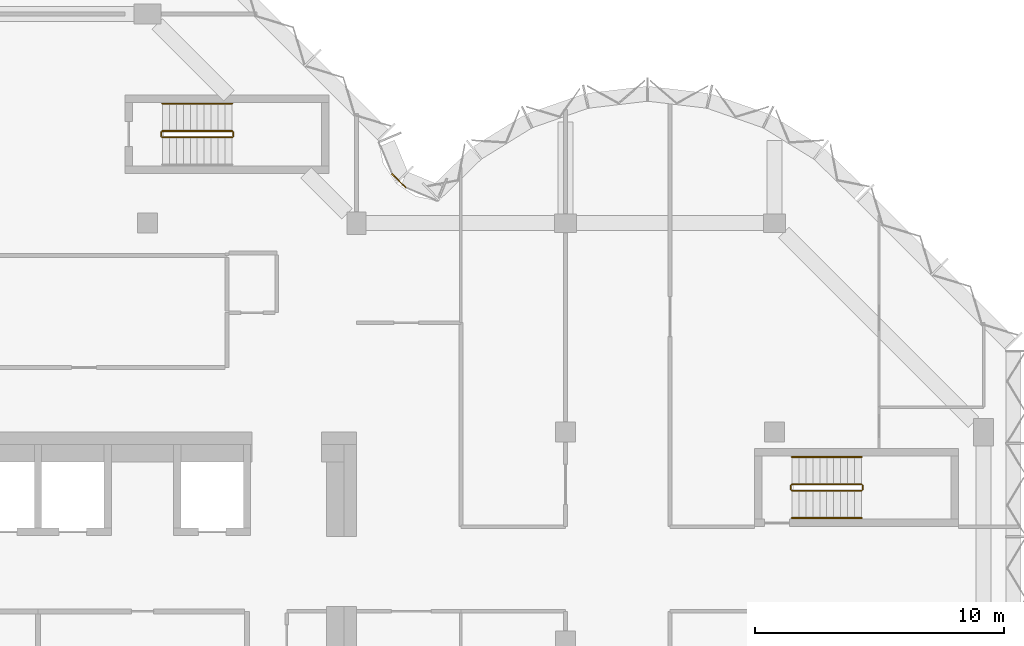
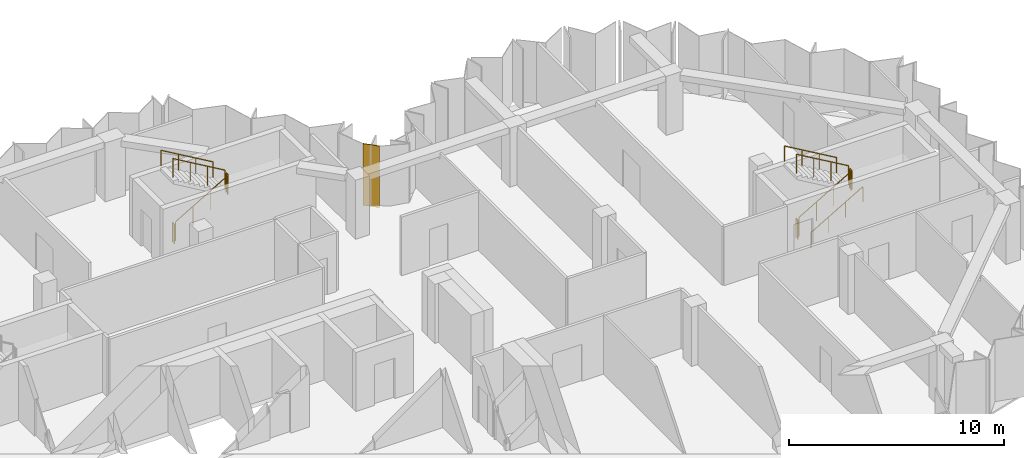
# One storey, part 9 of 9: 11 railings, 1 covering, 1 element without a shape of its own.
"""IFC4 building model written with IfcOpenShell, lengths in metres."""

from ifc_helpers import new_model, si_unit, direction, frame, origin, origin_2d, place, context, subcontext, project, spatial, polyline, circle, outline, extrude, material, layer, layer_set, type_object, element, aggregate, save


model = new_model("IFC4")

# Units and contexts
model_context = context("Model", 3, precision=1e-05, world=origin(), true_north=direction((0.0, 1.0)))
body_context = subcontext(model_context, "Body", "Model", "MODEL_VIEW")
ifc_project = project(units=[si_unit("LENGTHUNIT", "METRE"), si_unit("AREAUNIT", "SQUARE_METRE"), si_unit("VOLUMEUNIT", "CUBIC_METRE"), si_unit("PLANEANGLEUNIT", "RADIAN"), si_unit("MASSUNIT", "GRAM", prefix="KILO")], contexts=[model_context])

# Site, building, storey
site_placement = place(None, origin())
site = spatial("IfcSite", under=ifc_project, at=site_placement, CompositionType="ELEMENT")
building_placement = place(site_placement, origin())
building = spatial("IfcBuilding", under=site, at=building_placement, Name="Brevane Broadcast Tower", CompositionType="ELEMENT")
storey_placement = place(building_placement, frame((0.0, 0.0, 215.699951171875)))
storey = spatial("IfcBuildingStorey", under=building, at=storey_placement, Name="L54", CompositionType="ELEMENT", Elevation=215.699951171875)

# Railings
ifc_material_1 = material(Name="Steel S355", Category="steel")
railing_type_1 = type_object("IfcRailingType", Name="Exit stair guard", PredefinedType="GUARDRAIL", material=ifc_material_1)
railing_1_placement = place(storey_placement, frame((17.39990234375, 28.64990234375, 0.16357421875)))
element("IfcRailing", 1, at=railing_1_placement, inside=storey, type_object=railing_type_1, Name="L54 ST-3 stair guard 1", PredefinedType="GUARDRAIL", context=body_context, shape_type="SweptSolid", body=[
    extrude(circle(Radius=0.02392578125, at=origin_2d()), frame((0.0, 0.0, 1.076171875), z_axis=(0.863360870873, 0.0, 0.504586966384), x_axis=(0.0, 1.0, 0.0)), (0.0, 0.0, 1.0), 3.2431640625),
    extrude(circle(Radius=0.02099609375, at=origin_2d()), origin(), (0.0, 0.0, 1.0), 1.052001953125),
    extrude(circle(Radius=0.02099609375, at=origin_2d()), frame((0.933349609375, 0.0, 0.54541015625)), (0.0, 0.0, 1.0), 1.052001953125),
    extrude(circle(Radius=0.02099609375, at=origin_2d()), frame((1.86669921875, 0.0, 1.091064453125)), (0.0, 0.0, 1.0), 1.052001953125),
    extrude(circle(Radius=0.02099609375, at=origin_2d()), frame((2.800048828125, 0.0, 1.636474609375)), (0.0, 0.0, 1.0), 1.052001953125),
])
railing_2_placement = place(storey_placement, frame((20.25, 28.699951171875, 1.800048828125)))
element("IfcRailing", 2, at=railing_2_placement, inside=storey, type_object=railing_type_1, Name="L54 ST-3 stair guard 2", PredefinedType="GUARDRAIL", context=body_context, shape_type="SweptSolid", body=[
    extrude(circle(Radius=0.02392578125, at=origin_2d()), frame((0.0, 0.0, 1.076171875), z_axis=(0.0, 1.0, 0.0), x_axis=(-1.0, 0.0, 0.0)), (0.0, 0.0, 1.0), 0.150146484375),
    extrude(circle(Radius=0.02099609375, at=origin_2d()), origin(), (0.0, 0.0, 1.0), 1.052001953125),
    extrude(circle(Radius=0.02099609375, at=origin_2d()), frame((0.0, 0.150146484375, 0.0)), (0.0, 0.0, 1.0), 1.052001953125),
])
railing_3_placement = place(storey_placement, frame((20.199951171875, 28.89990234375, 1.963623046875)))
element("IfcRailing", 3, at=railing_3_placement, inside=storey, type_object=railing_type_1, Name="L54 ST-3 stair guard 3", PredefinedType="GUARDRAIL", context=body_context, shape_type="SweptSolid", body=[
    extrude(circle(Radius=0.02392578125, at=origin_2d()), frame((0.0, 0.0, 1.076171875), z_axis=(-0.863360870873, 0.0, 0.504586966384), x_axis=(0.0, -1.0, 0.0)), (0.0, 0.0, 1.0), 3.2431640625),
    extrude(circle(Radius=0.02099609375, at=origin_2d()), origin(), (0.0, 0.0, 1.0), 1.052001953125),
    extrude(circle(Radius=0.02099609375, at=origin_2d()), frame((-0.933349609375, 0.0, 0.54541015625)), (0.0, 0.0, 1.0), 1.052001953125),
    extrude(circle(Radius=0.02099609375, at=origin_2d()), frame((-1.86669921875, 0.0, 1.091064453125)), (0.0, 0.0, 1.0), 1.052001953125),
    extrude(circle(Radius=0.02099609375, at=origin_2d()), frame((-2.800048828125, 0.0, 1.636474609375)), (0.0, 0.0, 1.0), 1.052001953125),
])
railing_4_placement = place(storey_placement, frame((17.35009765625, 28.699951171875, 0.0)))
element("IfcRailing", 4, at=railing_4_placement, inside=storey, type_object=railing_type_1, Name="L54 ST-3 stair guard 4", PredefinedType="GUARDRAIL", context=body_context, shape_type="SweptSolid", body=[
    extrude(circle(Radius=0.02392578125, at=origin_2d()), frame((0.0, 0.0, 1.076171875), z_axis=(0.0, 1.0, 0.0), x_axis=(-1.0, 0.0, 0.0)), (0.0, 0.0, 1.0), 0.150146484375),
    extrude(circle(Radius=0.02099609375, at=origin_2d()), origin(), (0.0, 0.0, 1.0), 1.052001953125),
    extrude(circle(Radius=0.02099609375, at=origin_2d()), frame((0.0, 0.150146484375, 0.0)), (0.0, 0.0, 1.0), 1.052001953125),
])
railing_5_placement = place(storey_placement, frame((42.699951171875, 14.449951171875, 0.16357421875)))
element("IfcRailing", 5, at=railing_5_placement, inside=storey, type_object=railing_type_1, Name="L54 ST-4 stair guard 1", PredefinedType="GUARDRAIL", context=body_context, shape_type="SweptSolid", body=[
    extrude(circle(Radius=0.02392578125, at=origin_2d()), frame((0.0, 0.0, 1.076171875), z_axis=(0.863360870873, 0.0, 0.504586966384), x_axis=(0.0, 1.0, 0.0)), (0.0, 0.0, 1.0), 3.2431640625),
    extrude(circle(Radius=0.02099609375, at=origin_2d()), origin(), (0.0, 0.0, 1.0), 1.052001953125),
    extrude(circle(Radius=0.02099609375, at=origin_2d()), frame((0.933349609375, 0.0, 0.54541015625)), (0.0, 0.0, 1.0), 1.052001953125),
    extrude(circle(Radius=0.02099609375, at=origin_2d()), frame((1.86669921875, 0.0, 1.091064453125)), (0.0, 0.0, 1.0), 1.052001953125),
    extrude(circle(Radius=0.02099609375, at=origin_2d()), frame((2.800048828125, 0.0, 1.636474609375)), (0.0, 0.0, 1.0), 1.052001953125),
])
railing_6_placement = place(storey_placement, frame((45.550048828125, 14.5, 1.800048828125)))
element("IfcRailing", 6, at=railing_6_placement, inside=storey, type_object=railing_type_1, Name="L54 ST-4 stair guard 2", PredefinedType="GUARDRAIL", context=body_context, shape_type="SweptSolid", body=[
    extrude(circle(Radius=0.02392578125, at=origin_2d()), frame((0.0, 0.0, 1.076171875), z_axis=(0.0, 1.0, 0.0), x_axis=(-1.0, 0.0, 0.0)), (0.0, 0.0, 1.0), 0.14990234375),
    extrude(circle(Radius=0.02099609375, at=origin_2d()), origin(), (0.0, 0.0, 1.0), 1.052001953125),
    extrude(circle(Radius=0.02099609375, at=origin_2d()), frame((0.0, 0.14990234375, 0.0)), (0.0, 0.0, 1.0), 1.052001953125),
])
railing_7_placement = place(storey_placement, frame((45.5, 14.699951171875, 1.963623046875)))
element("IfcRailing", 7, at=railing_7_placement, inside=storey, type_object=railing_type_1, Name="L54 ST-4 stair guard 3", PredefinedType="GUARDRAIL", context=body_context, shape_type="SweptSolid", body=[
    extrude(circle(Radius=0.02392578125, at=origin_2d()), frame((0.0, 0.0, 1.076171875), z_axis=(-0.863360870873, 0.0, 0.504586966384), x_axis=(0.0, -1.0, 0.0)), (0.0, 0.0, 1.0), 3.2431640625),
    extrude(circle(Radius=0.02099609375, at=origin_2d()), origin(), (0.0, 0.0, 1.0), 1.052001953125),
    extrude(circle(Radius=0.02099609375, at=origin_2d()), frame((-0.933349609375, 0.0, 0.54541015625)), (0.0, 0.0, 1.0), 1.052001953125),
    extrude(circle(Radius=0.02099609375, at=origin_2d()), frame((-1.86669921875, 0.0, 1.091064453125)), (0.0, 0.0, 1.0), 1.052001953125),
    extrude(circle(Radius=0.02099609375, at=origin_2d()), frame((-2.800048828125, 0.0, 1.636474609375)), (0.0, 0.0, 1.0), 1.052001953125),
])
railing_8_placement = place(storey_placement, frame((42.64990234375, 14.5, 0.0)))
element("IfcRailing", 8, at=railing_8_placement, inside=storey, type_object=railing_type_1, Name="L54 ST-4 stair guard 4", PredefinedType="GUARDRAIL", context=body_context, shape_type="SweptSolid", body=[
    extrude(circle(Radius=0.02392578125, at=origin_2d()), frame((0.0, 0.0, 1.076171875), z_axis=(0.0, 1.0, 0.0), x_axis=(-1.0, 0.0, 0.0)), (0.0, 0.0, 1.0), 0.14990234375),
    extrude(circle(Radius=0.02099609375, at=origin_2d()), origin(), (0.0, 0.0, 1.0), 1.052001953125),
    extrude(circle(Radius=0.02099609375, at=origin_2d()), frame((0.0, 0.14990234375, 0.0)), (0.0, 0.0, 1.0), 1.052001953125),
])
railing_type_2 = type_object("IfcRailingType", Name="Exit stair handrail", PredefinedType="HANDRAIL", material=ifc_material_1)
railing_9_placement = place(storey_placement, frame((20.199951171875, 30.0, 1.963623046875)))
element("IfcRailing", 9, at=railing_9_placement, inside=storey, type_object=railing_type_2, Name="L54 ST-3 stair handrail 2", PredefinedType="HANDRAIL", context=body_context, shape_type="SweptSolid", body=[
    extrude(circle(Radius=0.02392578125, at=origin_2d()), frame((0.0, 0.0, 0.8759765625), z_axis=(-0.863360870873, 0.0, 0.504586966384), x_axis=(0.0, -1.0, 0.0)), (0.0, 0.0, 1.0), 3.2431640625),
    extrude(circle(Radius=0.02099609375, at=origin_2d()), origin(), (0.0, 0.0, 1.0), 0.851806640625),
    extrude(circle(Radius=0.02099609375, at=origin_2d()), frame((-0.933349609375, 0.0, 0.54541015625)), (0.0, 0.0, 1.0), 0.851806640625),
    extrude(circle(Radius=0.02099609375, at=origin_2d()), frame((-1.86669921875, 0.0, 1.091064453125)), (0.0, 0.0, 1.0), 0.851806640625),
    extrude(circle(Radius=0.02099609375, at=origin_2d()), frame((-2.800048828125, 0.0, 1.636474609375)), (0.0, 0.0, 1.0), 0.851806640625),
])
railing_10_placement = place(storey_placement, frame((42.699951171875, 13.35009765625, 0.16357421875)))
element("IfcRailing", 10, at=railing_10_placement, inside=storey, type_object=railing_type_2, Name="L54 ST-4 stair handrail 1", PredefinedType="HANDRAIL", context=body_context, shape_type="SweptSolid", body=[
    extrude(circle(Radius=0.02392578125, at=origin_2d()), frame((0.0, 0.0, 0.8759765625), z_axis=(0.863360870873, 0.0, 0.504586966384), x_axis=(0.0, 1.0, 0.0)), (0.0, 0.0, 1.0), 3.2431640625),
    extrude(circle(Radius=0.02099609375, at=origin_2d()), origin(), (0.0, 0.0, 1.0), 0.851806640625),
    extrude(circle(Radius=0.02099609375, at=origin_2d()), frame((0.933349609375, 0.0, 0.54541015625)), (0.0, 0.0, 1.0), 0.851806640625),
    extrude(circle(Radius=0.02099609375, at=origin_2d()), frame((1.86669921875, 0.0, 1.091064453125)), (0.0, 0.0, 1.0), 0.851806640625),
    extrude(circle(Radius=0.02099609375, at=origin_2d()), frame((2.800048828125, 0.0, 1.636474609375)), (0.0, 0.0, 1.0), 0.851806640625),
])
railing_11_placement = place(storey_placement, frame((45.5, 15.800048828125, 1.963623046875)))
element("IfcRailing", 11, at=railing_11_placement, inside=storey, type_object=railing_type_2, Name="L54 ST-4 stair handrail 2", PredefinedType="HANDRAIL", context=body_context, shape_type="SweptSolid", body=[
    extrude(circle(Radius=0.02392578125, at=origin_2d()), frame((0.0, 0.0, 0.8759765625), z_axis=(-0.863360870873, 0.0, 0.504586966384), x_axis=(0.0, -1.0, 0.0)), (0.0, 0.0, 1.0), 3.2431640625),
    extrude(circle(Radius=0.02099609375, at=origin_2d()), origin(), (0.0, 0.0, 1.0), 0.851806640625),
    extrude(circle(Radius=0.02099609375, at=origin_2d()), frame((-0.933349609375, 0.0, 0.54541015625)), (0.0, 0.0, 1.0), 0.851806640625),
    extrude(circle(Radius=0.02099609375, at=origin_2d()), frame((-1.86669921875, 0.0, 1.091064453125)), (0.0, 0.0, 1.0), 0.851806640625),
    extrude(circle(Radius=0.02099609375, at=origin_2d()), frame((-2.800048828125, 0.0, 1.636474609375)), (0.0, 0.0, 1.0), 0.851806640625),
])

# Curtain wall, covering
ifc_material_2 = material(Name="Aluminium 6063-T6 bronze anodised", Category="aluminium")
curtain_wall_type = type_object("IfcCurtainWallType", Name="CW-1 curtain wall", PredefinedType="NOTDEFINED", material=ifc_material_2)
curtain_wall_placement = place(storey_placement, origin())
curtain_wall = element("IfcCurtainWall", 12, at=curtain_wall_placement, inside=storey, type_object=curtain_wall_type, Name="CW-1 typical tilted unit L54 inner corner", PredefinedType="NOTDEFINED")
ifc_material_3 = material(Name="Back-painted bronze glass shadow-box", Category="glass")
ifc_layer = layer(ifc_material_3, 0.0400390625)
ifc_layer_set = layer_set([ifc_layer], Name="Shadow-box panel 40")
covering_type = type_object("IfcCoveringType", Name="Shadow-box panel 40", PredefinedType="CLADDING", material=ifc_layer_set)
covering_placement = place(storey_placement, frame((0.0, 0.0, -0.14990234375)))
covering = element("IfcCovering", 13, at=covering_placement, type_object=covering_type, Name="Closure panel", PredefinedType="CLADDING", context=body_context, shape_type="SweptSolid", body=[
    extrude(outline(polyline([(27.17138671875, 26.60498046875), (27.2021484375, 26.635498046875), (26.635498046875, 27.2021484375), (26.60498046875, 27.17138671875), (27.17138671875, 26.60498046875)])), origin(), (0.0, 0.0, 1.0), 3.5),
])
aggregate(curtain_wall, [covering])

save(model, "model.ifc")
